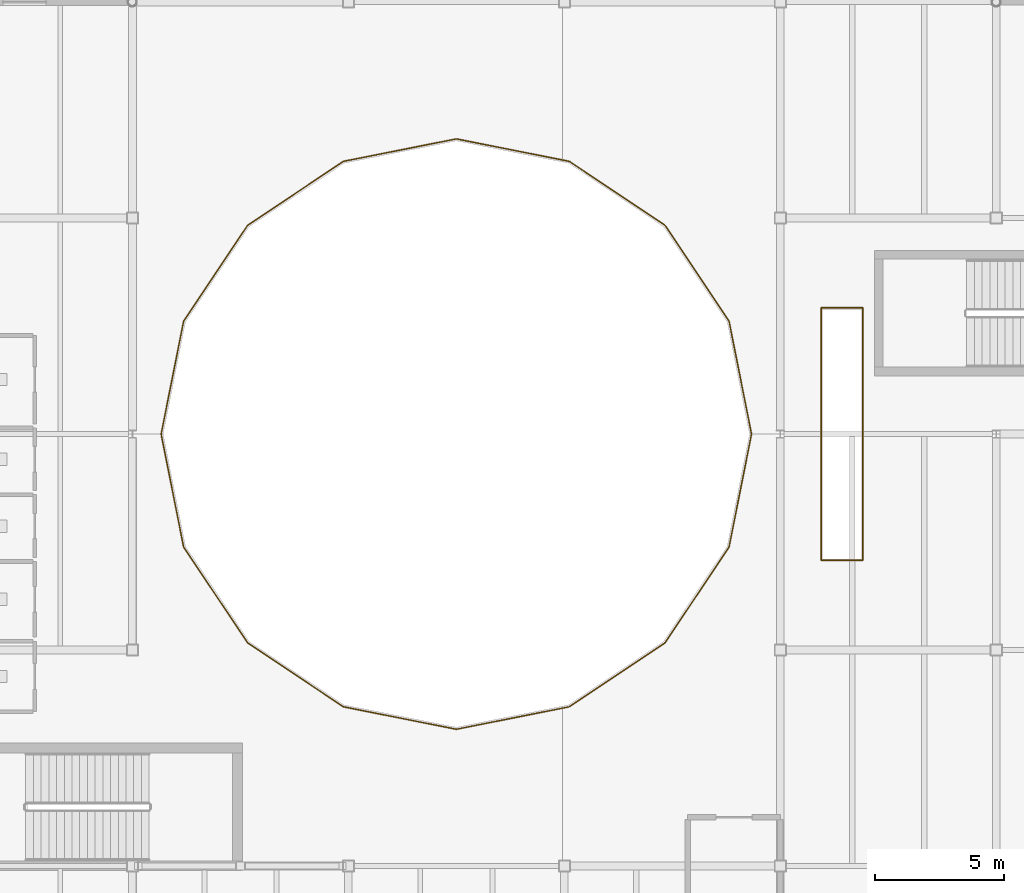
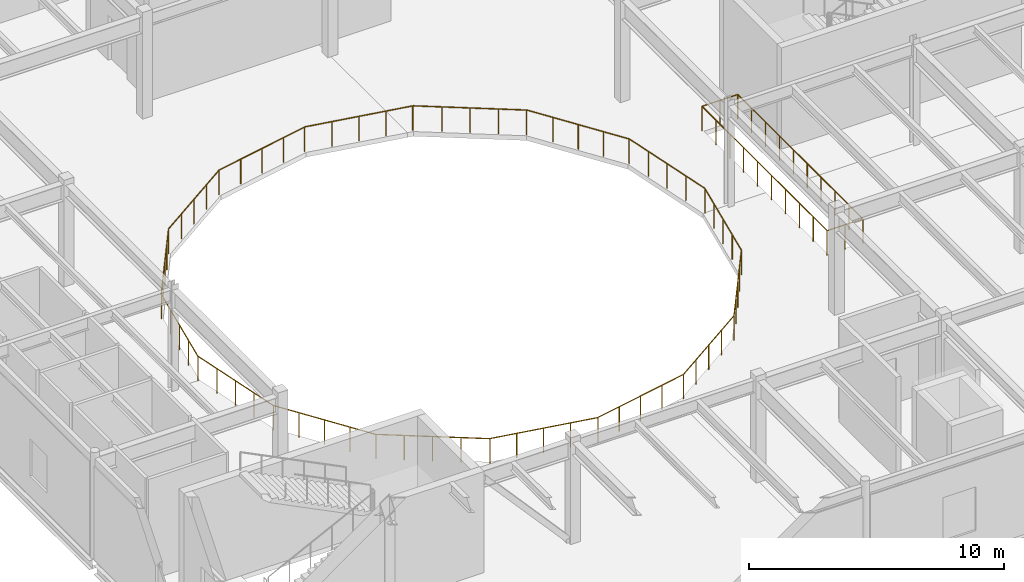
# One storey, part 51 of 57: 2 railings.
"""IFC4 building model written with IfcOpenShell, lengths in metres."""

from ifc_helpers import new_model, si_unit, direction, frame, origin, origin_2d, place, context, subcontext, project, spatial, circle, extrude, material, type_object, element, save


model = new_model("IFC4")

# Units and contexts
model_context = context("Model", 3, precision=1e-05, world=origin(), true_north=direction((0.0, 1.0)))
body_context = subcontext(model_context, "Body", "Model", "MODEL_VIEW")
ifc_project = project(units=[si_unit("LENGTHUNIT", "METRE"), si_unit("AREAUNIT", "SQUARE_METRE"), si_unit("VOLUMEUNIT", "CUBIC_METRE"), si_unit("PLANEANGLEUNIT", "RADIAN"), si_unit("MASSUNIT", "GRAM", prefix="KILO"), si_unit("THERMODYNAMICTEMPERATUREUNIT", "KELVIN")], contexts=[model_context])

# Site, building, storey
site_placement = place(None, origin())
site = spatial("IfcSite", under=ifc_project, at=site_placement, CompositionType="ELEMENT")
building_placement = place(site_placement, origin())
building = spatial("IfcBuilding", under=site, at=building_placement, Name="Lustrewick Department Store", CompositionType="ELEMENT")
storey_placement = place(building_placement, frame((0.0, 0.0, 26.699951171875)))
storey = spatial("IfcBuildingStorey", under=building, at=storey_placement, Name="L06", CompositionType="ELEMENT", Elevation=26.699951171875)

# Railings
ifc_material = material(Name="Laminated safety glass and bronze atrium balustrade", Category="glass")
railing_type = type_object("IfcRailingType", Name="RL-BAL", PredefinedType="BALUSTRADE", material=ifc_material)
railing_1_placement = place(storey_placement, frame((40.87841796875, 67.184326171875, 0.0)))
element("IfcRailing", 1, at=railing_1_placement, inside=storey, type_object=railing_type, Name="L06 Atrium Void Balustrade 0054", PredefinedType="BALUSTRADE", context=body_context, shape_type="SweptSolid", body=[
    extrude(circle(Radius=0.02392578125, at=origin_2d()), frame((0.0, 0.0, 1.17578125), z_axis=(-0.195071045556, -0.980789114533, 0.0), x_axis=(0.980789114533, -0.195071045556, 0.0)), (0.0, 0.0, 1.0), 4.447998046875),
    extrude(circle(Radius=0.02392578125, at=origin_2d()), frame((-0.86767578125, -4.362548828125, 1.17578125), z_axis=(-0.249878019022, -0.968277323709, 0.0), x_axis=(0.968277323709, -0.249878019022, 0.0)), (0.0, 0.0, 1.0), 0.0078125),
    extrude(circle(Radius=0.02392578125, at=origin_2d()), frame((-0.86962890625, -4.3701171875, 1.17578125), z_axis=(-0.344254649158, -0.938876315887, 0.0), x_axis=(0.938876315887, -0.344254649158, 0.0)), (0.0, 0.0, 1.0), 0.0078125),
    extrude(circle(Radius=0.02392578125, at=origin_2d()), frame((-0.872314453125, -4.37744140625, 1.17578125), z_axis=(-0.434749065831, -0.900551636365, 0.0), x_axis=(0.900551636365, -0.434749065831, 0.0)), (0.0, 0.0, 1.0), 0.0078125),
    extrude(circle(Radius=0.02392578125, at=origin_2d()), frame((-0.875732421875, -4.384521484375, 1.17578125), z_axis=(-0.496138938357, -0.868243142124, 0.0), x_axis=(0.868243142124, -0.496138938357, 0.0)), (0.0, 0.0, 1.0), 0.0078125),
    extrude(circle(Radius=0.02392578125, at=origin_2d()), frame((-0.879638671875, -4.391357421875, 1.17578125), z_axis=(-0.555561194947, -0.831475651279, 0.0), x_axis=(0.831475651279, -0.555561194947, 0.0)), (0.0, 0.0, 1.0), 4.447998046875),
    extrude(circle(Radius=0.02392578125, at=origin_2d()), frame((-3.350830078125, -8.08984375, 1.17578125), z_axis=(-0.60971076085, -0.792623989105, 0.0), x_axis=(0.792623989105, -0.60971076085, 0.0)), (0.0, 0.0, 1.0), 0.008056640625),
    extrude(circle(Radius=0.02392578125, at=origin_2d()), frame((-3.355712890625, -8.09619140625, 1.17578125), z_axis=(-0.674269364021, -0.738485493928, 0.0), x_axis=(0.738485493928, -0.674269364021, 0.0)), (0.0, 0.0, 1.0), 0.007568359375),
    extrude(circle(Radius=0.02392578125, at=origin_2d()), frame((-3.36083984375, -8.101806640625, 1.17578125), z_axis=(-0.737154140201, -0.675724628517, 0.0), x_axis=(0.675724628517, -0.737154140201, 0.0)), (0.0, 0.0, 1.0), 0.008056640625),
    extrude(circle(Radius=0.02392578125, at=origin_2d()), frame((-3.36669921875, -8.107177734375, 1.17578125), z_axis=(-0.807391122258, -0.590016589342, 0.0), x_axis=(0.590016589342, -0.807391122258, 0.0)), (0.0, 0.0, 1.0), 0.0078125),
    extrude(circle(Radius=0.02392578125, at=origin_2d()), frame((-3.373046875, -8.11181640625, 1.17578125), z_axis=(-0.831475651279, -0.555561194947, 0.0), x_axis=(0.555561194947, -0.831475651279, 0.0)), (0.0, 0.0, 1.0), 4.447998046875),
    extrude(circle(Radius=0.02392578125, at=origin_2d()), frame((-7.071533203125, -10.5830078125, 1.17578125), z_axis=(-0.84623284009, -0.532813269686, 0.0), x_axis=(0.532813269686, -0.84623284009, 0.0)), (0.0, 0.0, 1.0), 0.0078125),
    extrude(circle(Radius=0.02392578125, at=origin_2d()), frame((-7.078125, -10.587158203125, 1.17578125), z_axis=(-0.912509324515, -0.409055904093, 0.0), x_axis=(0.409055904093, -0.912509324515, 0.0)), (0.0, 0.0, 1.0), 0.0078125),
    extrude(circle(Radius=0.02392578125, at=origin_2d()), frame((-7.085205078125, -10.59033203125, 1.17578125), z_axis=(-0.938876315887, -0.344254649158, 0.0), x_axis=(0.344254649158, -0.938876315887, 0.0)), (0.0, 0.0, 1.0), 0.0078125),
    extrude(circle(Radius=0.02392578125, at=origin_2d()), frame((-7.092529296875, -10.593017578125, 1.17578125), z_axis=(-0.968277323709, -0.249878019022, 0.0), x_axis=(0.249878019022, -0.968277323709, 0.0)), (0.0, 0.0, 1.0), 0.0078125),
    extrude(circle(Radius=0.02392578125, at=origin_2d()), frame((-7.10009765625, -10.594970703125, 1.17578125), z_axis=(-0.980780701472, -0.195113340444, 0.0), x_axis=(0.195113340444, -0.980780701472, 0.0)), (0.0, 0.0, 1.0), 4.4482421875),
    extrude(circle(Radius=0.02392578125, at=origin_2d()), frame((-11.462890625, -11.462890625, 1.17578125), z_axis=(-0.992277876714, -0.124034734589, 0.0), x_axis=(0.124034734589, -0.992277876714, 0.0)), (0.0, 0.0, 1.0), 0.0078125),
    extrude(circle(Radius=0.02392578125, at=origin_2d()), frame((-11.470703125, -11.4638671875, 1.17578125), z_axis=(-0.998052578483, -0.062378286155, 0.0), x_axis=(0.062378286155, -0.998052578483, 0.0)), (0.0, 0.0, 1.0), 0.0078125),
    extrude(circle(Radius=0.02392578125, at=origin_2d()), frame((-11.478515625, -11.46435546875, 1.17578125), z_axis=(-0.998052578483, 0.062378286155, 0.0), x_axis=(-0.062378286155, -0.998052578483, 0.0)), (0.0, 0.0, 1.0), 0.0078125),
    extrude(circle(Radius=0.02392578125, at=origin_2d()), frame((-11.486328125, -11.4638671875, 1.17578125), z_axis=(-0.991777866634, 0.12797133763, 0.0), x_axis=(-0.12797133763, -0.991777866634, 0.0)), (0.0, 0.0, 1.0), 0.007568359375),
    extrude(circle(Radius=0.02392578125, at=origin_2d()), frame((-11.493896484375, -11.462890625, 1.17578125), z_axis=(-0.980780701472, 0.195113340444, 0.0), x_axis=(-0.195113340444, -0.980780701472, 0.0)), (0.0, 0.0, 1.0), 4.4482421875),
    extrude(circle(Radius=0.02392578125, at=origin_2d()), frame((-15.856689453125, -10.594970703125, 1.17578125), z_axis=(-0.968277323709, 0.249878019022, 0.0), x_axis=(-0.249878019022, -0.968277323709, 0.0)), (0.0, 0.0, 1.0), 0.0078125),
    extrude(circle(Radius=0.02392578125, at=origin_2d()), frame((-15.8642578125, -10.593017578125, 1.17578125), z_axis=(-0.938876315887, 0.344254649158, 0.0), x_axis=(-0.344254649158, -0.938876315887, 0.0)), (0.0, 0.0, 1.0), 0.0078125),
    extrude(circle(Radius=0.02392578125, at=origin_2d()), frame((-15.87158203125, -10.59033203125, 1.17578125), z_axis=(-0.912509324515, 0.409055904093, 0.0), x_axis=(-0.409055904093, -0.912509324515, 0.0)), (0.0, 0.0, 1.0), 0.0078125),
    extrude(circle(Radius=0.02392578125, at=origin_2d()), frame((-15.878662109375, -10.587158203125, 1.17578125), z_axis=(-0.854787515222, 0.518978134242, 0.0), x_axis=(-0.518978134242, -0.854787515222, 0.0)), (0.0, 0.0, 1.0), 0.008056640625),
    extrude(circle(Radius=0.02392578125, at=origin_2d()), frame((-15.885498046875, -10.5830078125, 1.17578125), z_axis=(-0.831458709496, 0.555586549876, 0.0), x_axis=(-0.555586549876, -0.831458709496, 0.0)), (0.0, 0.0, 1.0), 4.447998046875),
    extrude(circle(Radius=0.02392578125, at=origin_2d()), frame((-19.583740234375, -8.11181640625, 1.17578125), z_axis=(-0.817806419301, 0.575493406175, 0.0), x_axis=(-0.575493406175, -0.817806419301, 0.0)), (0.0, 0.0, 1.0), 0.008056640625),
    extrude(circle(Radius=0.02392578125, at=origin_2d()), frame((-19.59033203125, -8.107177734375, 1.17578125), z_axis=(-0.722641857148, 0.691222645967, 0.0), x_axis=(-0.691222645967, -0.722641857148, 0.0)), (0.0, 0.0, 1.0), 0.0078125),
    extrude(circle(Radius=0.02392578125, at=origin_2d()), frame((-19.595947265625, -8.101806640625, 1.17578125), z_axis=(-0.691222645967, 0.722641857148, 0.0), x_axis=(-0.722641857148, -0.691222645967, 0.0)), (0.0, 0.0, 1.0), 0.0078125),
    extrude(circle(Radius=0.02392578125, at=origin_2d()), frame((-19.601318359375, -8.09619140625, 1.17578125), z_axis=(-0.590016589342, 0.807391122258, 0.0), x_axis=(-0.807391122258, -0.590016589342, 0.0)), (0.0, 0.0, 1.0), 0.0078125),
    extrude(circle(Radius=0.02392578125, at=origin_2d()), frame((-19.60595703125, -8.08984375, 1.17578125), z_axis=(-0.555561194947, 0.831475651279, 0.0), x_axis=(-0.831475651279, -0.555561194947, 0.0)), (0.0, 0.0, 1.0), 4.447998046875),
    extrude(circle(Radius=0.02392578125, at=origin_2d()), frame((-22.0771484375, -4.391357421875, 1.17578125), z_axis=(-0.518978134242, 0.854787515222, 0.0), x_axis=(-0.854787515222, -0.518978134242, 0.0)), (0.0, 0.0, 1.0), 0.008056640625),
    extrude(circle(Radius=0.02392578125, at=origin_2d()), frame((-22.081298828125, -4.384521484375, 1.17578125), z_axis=(-0.409055904093, 0.912509324515, 0.0), x_axis=(-0.912509324515, -0.409055904093, 0.0)), (0.0, 0.0, 1.0), 0.0078125),
    extrude(circle(Radius=0.02392578125, at=origin_2d()), frame((-22.08447265625, -4.37744140625, 1.17578125), z_axis=(-0.344254649158, 0.938876315887, 0.0), x_axis=(-0.938876315887, -0.344254649158, 0.0)), (0.0, 0.0, 1.0), 0.0078125),
    extrude(circle(Radius=0.02392578125, at=origin_2d()), frame((-22.087158203125, -4.3701171875, 1.17578125), z_axis=(-0.249878019022, 0.968277323709, 0.0), x_axis=(-0.968277323709, -0.249878019022, 0.0)), (0.0, 0.0, 1.0), 0.0078125),
    extrude(circle(Radius=0.02392578125, at=origin_2d()), frame((-22.089111328125, -4.362548828125, 1.17578125), z_axis=(-0.195123843826, 0.980778611905, 0.0), x_axis=(-0.980778611905, -0.195123843826, 0.0)), (0.0, 0.0, 1.0), 4.447998046875),
    extrude(circle(Radius=0.02392578125, at=origin_2d()), frame((-22.95703125, 0.0, 1.17578125), z_axis=(-0.124034734589, 0.992277876714, 0.0), x_axis=(-0.992277876714, -0.124034734589, 0.0)), (0.0, 0.0, 1.0), 0.0078125),
    extrude(circle(Radius=0.02392578125, at=origin_2d()), frame((-22.9580078125, 0.0078125, 1.17578125), z_axis=(-0.062378286155, 0.998052578483, 0.0), x_axis=(-0.998052578483, -0.062378286155, 0.0)), (0.0, 0.0, 1.0), 0.0078125),
    extrude(circle(Radius=0.02392578125, at=origin_2d()), frame((-22.95849609375, 0.015625, 1.17578125), z_axis=(0.062378286155, 0.998052578483, 0.0), x_axis=(-0.998052578483, 0.062378286155, 0.0)), (0.0, 0.0, 1.0), 0.0078125),
    extrude(circle(Radius=0.02392578125, at=origin_2d()), frame((-22.9580078125, 0.0234375, 1.17578125), z_axis=(0.124034734589, 0.992277876714, 0.0), x_axis=(-0.992277876714, 0.124034734589, 0.0)), (0.0, 0.0, 1.0), 0.0078125),
    extrude(circle(Radius=0.02392578125, at=origin_2d()), frame((-22.95703125, 0.03125, 1.17578125), z_axis=(0.195123843826, 0.980778611905, 0.0), x_axis=(-0.980778611905, 0.195123843826, 0.0)), (0.0, 0.0, 1.0), 4.447998046875),
    extrude(circle(Radius=0.02392578125, at=origin_2d()), frame((-22.089111328125, 4.393798828125, 1.17578125), z_axis=(0.249878019022, 0.968277323709, 0.0), x_axis=(-0.968277323709, 0.249878019022, 0.0)), (0.0, 0.0, 1.0), 0.0078125),
    extrude(circle(Radius=0.02392578125, at=origin_2d()), frame((-22.087158203125, 4.4013671875, 1.17578125), z_axis=(0.334409845171, 0.942427745481, 0.0), x_axis=(-0.942427745481, 0.334409845171, 0.0)), (0.0, 0.0, 1.0), 0.008056640625),
    extrude(circle(Radius=0.02392578125, at=origin_2d()), frame((-22.08447265625, 4.408935546875, 1.17578125), z_axis=(0.409055904093, 0.912509324515, 0.0), x_axis=(-0.912509324515, 0.409055904093, 0.0)), (0.0, 0.0, 1.0), 0.0078125),
    extrude(circle(Radius=0.02392578125, at=origin_2d()), frame((-22.081298828125, 4.416015625, 1.17578125), z_axis=(0.532813269686, 0.84623284009, 0.0), x_axis=(-0.84623284009, 0.532813269686, 0.0)), (0.0, 0.0, 1.0), 0.0078125),
    extrude(circle(Radius=0.02392578125, at=origin_2d()), frame((-22.0771484375, 4.422607421875, 1.17578125), z_axis=(0.555561194947, 0.831475651279, 0.0), x_axis=(-0.831475651279, 0.555561194947, 0.0)), (0.0, 0.0, 1.0), 4.447998046875),
    extrude(circle(Radius=0.02392578125, at=origin_2d()), frame((-19.60595703125, 8.12109375, 1.17578125), z_axis=(0.590016589342, 0.807391122258, 0.0), x_axis=(-0.807391122258, 0.590016589342, 0.0)), (0.0, 0.0, 1.0), 0.0078125),
    extrude(circle(Radius=0.02392578125, at=origin_2d()), frame((-19.601318359375, 8.12744140625, 1.17578125), z_axis=(0.675724628517, 0.737154140201, 0.0), x_axis=(-0.737154140201, 0.675724628517, 0.0)), (0.0, 0.0, 1.0), 0.008056640625),
    extrude(circle(Radius=0.02392578125, at=origin_2d()), frame((-19.595947265625, 8.13330078125, 1.17578125), z_axis=(0.738485493928, 0.674269364021, 0.0), x_axis=(-0.674269364021, 0.738485493928, 0.0)), (0.0, 0.0, 1.0), 0.007568359375),
    extrude(circle(Radius=0.02392578125, at=origin_2d()), frame((-19.59033203125, 8.138427734375, 1.17578125), z_axis=(0.817806419301, 0.575493406175, 0.0), x_axis=(-0.575493406175, 0.817806419301, 0.0)), (0.0, 0.0, 1.0), 0.008056640625),
    extrude(circle(Radius=0.02392578125, at=origin_2d()), frame((-19.583740234375, 8.14306640625, 1.17578125), z_axis=(0.831458709496, 0.555586549876, 0.0), x_axis=(-0.555586549876, 0.831458709496, 0.0)), (0.0, 0.0, 1.0), 4.447998046875),
    extrude(circle(Radius=0.02392578125, at=origin_2d()), frame((-15.885498046875, 10.6142578125, 1.17578125), z_axis=(0.854787515222, 0.518978134242, 0.0), x_axis=(-0.518978134242, 0.854787515222, 0.0)), (0.0, 0.0, 1.0), 0.008056640625),
    extrude(circle(Radius=0.02392578125, at=origin_2d()), frame((-15.878662109375, 10.618408203125, 1.17578125), z_axis=(0.900551636365, 0.434749065831, 0.0), x_axis=(-0.434749065831, 0.900551636365, 0.0)), (0.0, 0.0, 1.0), 0.0078125),
    extrude(circle(Radius=0.02392578125, at=origin_2d()), frame((-15.87158203125, 10.621826171875, 1.17578125), z_axis=(0.938876315887, 0.344254649158, 0.0), x_axis=(-0.344254649158, 0.938876315887, 0.0)), (0.0, 0.0, 1.0), 0.0078125),
    extrude(circle(Radius=0.02392578125, at=origin_2d()), frame((-15.8642578125, 10.62451171875, 1.17578125), z_axis=(0.968277323709, 0.249878019022, 0.0), x_axis=(-0.249878019022, 0.968277323709, 0.0)), (0.0, 0.0, 1.0), 0.0078125),
    extrude(circle(Radius=0.02392578125, at=origin_2d()), frame((-15.856689453125, 10.62646484375, 1.17578125), z_axis=(0.980791202991, 0.195060544792, 0.0), x_axis=(-0.195060544792, 0.980791202991, 0.0)), (0.0, 0.0, 1.0), 4.4482421875),
    extrude(circle(Radius=0.02392578125, at=origin_2d()), frame((-11.493896484375, 11.494140625, 1.17578125), z_axis=(0.987241120713, 0.159232438825, 0.0), x_axis=(-0.159232438825, 0.987241120713, 0.0)), (0.0, 0.0, 1.0), 0.007568359375),
    extrude(circle(Radius=0.02392578125, at=origin_2d()), frame((-11.486328125, 11.495361328125, 1.17578125), z_axis=(0.999512076087, 0.031234752378, 0.0), x_axis=(-0.031234752378, 0.999512076087, 0.0)), (0.0, 0.0, 1.0), 0.0078125),
    extrude(circle(Radius=0.02392578125, at=origin_2d()), frame((-11.478515625, 11.49560546875, 1.17578125), z_axis=(0.999512076087, -0.031234752378, 0.0), x_axis=(0.031234752378, 0.999512076087, 0.0)), (0.0, 0.0, 1.0), 0.0078125),
    extrude(circle(Radius=0.02392578125, at=origin_2d()), frame((-11.470703125, 11.495361328125, 1.17578125), z_axis=(0.988012033751, -0.154376880274, 0.0), x_axis=(0.154376880274, 0.988012033751, 0.0)), (0.0, 0.0, 1.0), 0.0078125),
    extrude(circle(Radius=0.02392578125, at=origin_2d()), frame((-11.462890625, 11.494140625, 1.17578125), z_axis=(0.980791202991, -0.195060544792, 0.0), x_axis=(0.195060544792, 0.980791202991, 0.0)), (0.0, 0.0, 1.0), 4.4482421875),
    extrude(circle(Radius=0.02392578125, at=origin_2d()), frame((-7.10009765625, 10.62646484375, 1.17578125), z_axis=(0.968277323709, -0.249878019022, 0.0), x_axis=(0.249878019022, 0.968277323709, 0.0)), (0.0, 0.0, 1.0), 0.0078125),
    extrude(circle(Radius=0.02392578125, at=origin_2d()), frame((-7.092529296875, 10.62451171875, 1.17578125), z_axis=(0.938876315887, -0.344254649158, 0.0), x_axis=(0.344254649158, 0.938876315887, 0.0)), (0.0, 0.0, 1.0), 0.0078125),
    extrude(circle(Radius=0.02392578125, at=origin_2d()), frame((-7.085205078125, 10.621826171875, 1.17578125), z_axis=(0.900551636365, -0.434749065831, 0.0), x_axis=(0.434749065831, 0.900551636365, 0.0)), (0.0, 0.0, 1.0), 0.0078125),
    extrude(circle(Radius=0.02392578125, at=origin_2d()), frame((-7.078125, 10.618408203125, 1.17578125), z_axis=(0.84623284009, -0.532813269686, 0.0), x_axis=(0.532813269686, 0.84623284009, 0.0)), (0.0, 0.0, 1.0), 0.0078125),
    extrude(circle(Radius=0.02392578125, at=origin_2d()), frame((-7.071533203125, 10.6142578125, 1.17578125), z_axis=(0.831475651279, -0.555561194947, 0.0), x_axis=(0.555561194947, 0.831475651279, 0.0)), (0.0, 0.0, 1.0), 4.447998046875),
    extrude(circle(Radius=0.02392578125, at=origin_2d()), frame((-3.373046875, 8.14306640625, 1.17578125), z_axis=(0.807391122258, -0.590016589342, 0.0), x_axis=(0.590016589342, 0.807391122258, 0.0)), (0.0, 0.0, 1.0), 0.0078125),
    extrude(circle(Radius=0.02392578125, at=origin_2d()), frame((-3.36669921875, 8.138427734375, 1.17578125), z_axis=(0.752576694707, -0.658504607869, 0.0), x_axis=(0.658504607869, 0.752576694707, 0.0)), (0.0, 0.0, 1.0), 0.0078125),
    extrude(circle(Radius=0.02392578125, at=origin_2d()), frame((-3.36083984375, 8.13330078125, 1.17578125), z_axis=(0.658504607869, -0.752576694707, 0.0), x_axis=(0.752576694707, 0.658504607869, 0.0)), (0.0, 0.0, 1.0), 0.0078125),
    extrude(circle(Radius=0.02392578125, at=origin_2d()), frame((-3.355712890625, 8.12744140625, 1.17578125), z_axis=(0.60971076085, -0.792623989105, 0.0), x_axis=(0.792623989105, 0.60971076085, 0.0)), (0.0, 0.0, 1.0), 0.008056640625),
    extrude(circle(Radius=0.02392578125, at=origin_2d()), frame((-3.350830078125, 8.12109375, 1.17578125), z_axis=(0.555561194947, -0.831475651279, 0.0), x_axis=(0.831475651279, 0.555561194947, 0.0)), (0.0, 0.0, 1.0), 4.447998046875),
    extrude(circle(Radius=0.02392578125, at=origin_2d()), frame((-0.879638671875, 4.422607421875, 1.17578125), z_axis=(0.509802390302, -0.860291533634, 0.0), x_axis=(0.860291533634, 0.509802390302, 0.0)), (0.0, 0.0, 1.0), 0.007568359375),
    extrude(circle(Radius=0.02392578125, at=origin_2d()), frame((-0.875732421875, 4.416015625, 1.17578125), z_axis=(0.434749065831, -0.900551636365, 0.0), x_axis=(0.900551636365, 0.434749065831, 0.0)), (0.0, 0.0, 1.0), 0.0078125),
    extrude(circle(Radius=0.02392578125, at=origin_2d()), frame((-0.872314453125, 4.408935546875, 1.17578125), z_axis=(0.334409845171, -0.942427745481, 0.0), x_axis=(0.942427745481, 0.334409845171, 0.0)), (0.0, 0.0, 1.0), 0.008056640625),
    extrude(circle(Radius=0.02392578125, at=origin_2d()), frame((-0.86962890625, 4.4013671875, 1.17578125), z_axis=(0.249878019022, -0.968277323709, 0.0), x_axis=(0.968277323709, 0.249878019022, 0.0)), (0.0, 0.0, 1.0), 0.0078125),
    extrude(circle(Radius=0.02392578125, at=origin_2d()), frame((-0.86767578125, 4.393798828125, 1.17578125), z_axis=(0.195071045556, -0.980789114533, 0.0), x_axis=(0.980789114533, 0.195071045556, 0.0)), (0.0, 0.0, 1.0), 4.447998046875),
    extrude(circle(Radius=0.02392578125, at=origin_2d()), frame((0.0, 0.03125, 1.17578125), z_axis=(0.154376880274, -0.988012033751, 0.0), x_axis=(0.988012033751, 0.154376880274, 0.0)), (0.0, 0.0, 1.0), 0.0078125),
    extrude(circle(Radius=0.02392578125, at=origin_2d()), frame((0.001220703125, 0.0234375, 1.17578125), z_axis=(0.031234752378, -0.999512076087, 0.0), x_axis=(0.999512076087, 0.031234752378, 0.0)), (0.0, 0.0, 1.0), 0.0078125),
    extrude(circle(Radius=0.02392578125, at=origin_2d()), frame((0.00146484375, 0.015625, 1.17578125), z_axis=(-0.031234752378, -0.999512076087, 0.0), x_axis=(0.999512076087, -0.031234752378, 0.0)), (0.0, 0.0, 1.0), 0.0078125),
    extrude(circle(Radius=0.02392578125, at=origin_2d()), frame((0.001220703125, 0.0078125, 1.17578125), z_axis=(-0.154376880274, -0.988012033751, 0.0), x_axis=(0.988012033751, -0.154376880274, 0.0)), (0.0, 0.0, 1.0), 0.0078125),
    extrude(circle(Radius=0.02099609375, at=origin_2d()), origin(), (0.0, 0.0, 1.0), 1.15185546875),
    extrude(circle(Radius=0.02099609375, at=origin_2d()), frame((-0.216796875, -1.090576171875, 0.0)), (0.0, 0.0, 1.0), 1.15185546875),
    extrude(circle(Radius=0.02099609375, at=origin_2d()), frame((-0.433837890625, -2.18115234375, 0.0)), (0.0, 0.0, 1.0), 1.15185546875),
    extrude(circle(Radius=0.02099609375, at=origin_2d()), frame((-0.65087890625, -3.27197265625, 0.0)), (0.0, 0.0, 1.0), 1.15185546875),
    extrude(circle(Radius=0.02099609375, at=origin_2d()), frame((-0.86767578125, -4.362548828125, 0.0)), (0.0, 0.0, 1.0), 1.15185546875),
    extrude(circle(Radius=0.02099609375, at=origin_2d()), frame((-1.49755859375, -5.31591796875, 0.0)), (0.0, 0.0, 1.0), 1.15185546875),
    extrude(circle(Radius=0.02099609375, at=origin_2d()), frame((-2.115234375, -6.24072265625, 0.0)), (0.0, 0.0, 1.0), 1.15185546875),
    extrude(circle(Radius=0.02099609375, at=origin_2d()), frame((-2.73291015625, -7.165283203125, 0.0)), (0.0, 0.0, 1.0), 1.15185546875),
    extrude(circle(Radius=0.02099609375, at=origin_2d()), frame((-3.350830078125, -8.08984375, 0.0)), (0.0, 0.0, 1.0), 1.15185546875),
    extrude(circle(Radius=0.02099609375, at=origin_2d()), frame((-4.297607421875, -8.7294921875, 0.0)), (0.0, 0.0, 1.0), 1.15185546875),
    extrude(circle(Radius=0.02099609375, at=origin_2d()), frame((-5.22216796875, -9.347412109375, 0.0)), (0.0, 0.0, 1.0), 1.15185546875),
    extrude(circle(Radius=0.02099609375, at=origin_2d()), frame((-6.14697265625, -9.96533203125, 0.0)), (0.0, 0.0, 1.0), 1.15185546875),
    extrude(circle(Radius=0.02099609375, at=origin_2d()), frame((-7.071533203125, -10.5830078125, 0.0)), (0.0, 0.0, 1.0), 1.15185546875),
    extrude(circle(Radius=0.02099609375, at=origin_2d()), frame((-8.19091796875, -10.81201171875, 0.0)), (0.0, 0.0, 1.0), 1.15185546875),
    extrude(circle(Radius=0.02099609375, at=origin_2d()), frame((-9.281494140625, -11.02880859375, 0.0)), (0.0, 0.0, 1.0), 1.15185546875),
    extrude(circle(Radius=0.02099609375, at=origin_2d()), frame((-10.3720703125, -11.245849609375, 0.0)), (0.0, 0.0, 1.0), 1.15185546875),
    extrude(circle(Radius=0.02099609375, at=origin_2d()), frame((-11.462890625, -11.462890625, 0.0)), (0.0, 0.0, 1.0), 1.15185546875),
    extrude(circle(Radius=0.02099609375, at=origin_2d()), frame((-12.58447265625, -11.245849609375, 0.0)), (0.0, 0.0, 1.0), 1.15185546875),
    extrude(circle(Radius=0.02099609375, at=origin_2d()), frame((-13.67529296875, -11.02880859375, 0.0)), (0.0, 0.0, 1.0), 1.15185546875),
    extrude(circle(Radius=0.02099609375, at=origin_2d()), frame((-14.76611328125, -10.81201171875, 0.0)), (0.0, 0.0, 1.0), 1.15185546875),
    extrude(circle(Radius=0.02099609375, at=origin_2d()), frame((-15.856689453125, -10.594970703125, 0.0)), (0.0, 0.0, 1.0), 1.15185546875),
    extrude(circle(Radius=0.02099609375, at=origin_2d()), frame((-16.81005859375, -9.96533203125, 0.0)), (0.0, 0.0, 1.0), 1.15185546875),
    extrude(circle(Radius=0.02099609375, at=origin_2d()), frame((-17.734619140625, -9.347412109375, 0.0)), (0.0, 0.0, 1.0), 1.15185546875),
    extrude(circle(Radius=0.02099609375, at=origin_2d()), frame((-18.6591796875, -8.7294921875, 0.0)), (0.0, 0.0, 1.0), 1.15185546875),
    extrude(circle(Radius=0.02099609375, at=origin_2d()), frame((-19.583740234375, -8.11181640625, 0.0)), (0.0, 0.0, 1.0), 1.15185546875),
    extrude(circle(Radius=0.02099609375, at=origin_2d()), frame((-20.2236328125, -7.165283203125, 0.0)), (0.0, 0.0, 1.0), 1.15185546875),
    extrude(circle(Radius=0.02099609375, at=origin_2d()), frame((-20.841552734375, -6.24072265625, 0.0)), (0.0, 0.0, 1.0), 1.15185546875),
    extrude(circle(Radius=0.02099609375, at=origin_2d()), frame((-21.45947265625, -5.31591796875, 0.0)), (0.0, 0.0, 1.0), 1.15185546875),
    extrude(circle(Radius=0.02099609375, at=origin_2d()), frame((-22.0771484375, -4.391357421875, 0.0)), (0.0, 0.0, 1.0), 1.15185546875),
    extrude(circle(Radius=0.02099609375, at=origin_2d()), frame((-22.30615234375, -3.27197265625, 0.0)), (0.0, 0.0, 1.0), 1.15185546875),
    extrude(circle(Radius=0.02099609375, at=origin_2d()), frame((-22.52294921875, -2.18115234375, 0.0)), (0.0, 0.0, 1.0), 1.15185546875),
    extrude(circle(Radius=0.02099609375, at=origin_2d()), frame((-22.739990234375, -1.090576171875, 0.0)), (0.0, 0.0, 1.0), 1.15185546875),
    extrude(circle(Radius=0.02099609375, at=origin_2d()), frame((-22.95703125, 0.0, 0.0)), (0.0, 0.0, 1.0), 1.15185546875),
    extrude(circle(Radius=0.02099609375, at=origin_2d()), frame((-22.739990234375, 1.121826171875, 0.0)), (0.0, 0.0, 1.0), 1.15185546875),
    extrude(circle(Radius=0.02099609375, at=origin_2d()), frame((-22.52294921875, 2.21240234375, 0.0)), (0.0, 0.0, 1.0), 1.15185546875),
    extrude(circle(Radius=0.02099609375, at=origin_2d()), frame((-22.30615234375, 3.30322265625, 0.0)), (0.0, 0.0, 1.0), 1.15185546875),
    extrude(circle(Radius=0.02099609375, at=origin_2d()), frame((-22.089111328125, 4.393798828125, 0.0)), (0.0, 0.0, 1.0), 1.15185546875),
    extrude(circle(Radius=0.02099609375, at=origin_2d()), frame((-21.45947265625, 5.34716796875, 0.0)), (0.0, 0.0, 1.0), 1.15185546875),
    extrude(circle(Radius=0.02099609375, at=origin_2d()), frame((-20.841552734375, 6.27197265625, 0.0)), (0.0, 0.0, 1.0), 1.15185546875),
    extrude(circle(Radius=0.02099609375, at=origin_2d()), frame((-20.2236328125, 7.196533203125, 0.0)), (0.0, 0.0, 1.0), 1.15185546875),
    extrude(circle(Radius=0.02099609375, at=origin_2d()), frame((-19.60595703125, 8.12109375, 0.0)), (0.0, 0.0, 1.0), 1.15185546875),
    extrude(circle(Radius=0.02099609375, at=origin_2d()), frame((-18.6591796875, 8.7607421875, 0.0)), (0.0, 0.0, 1.0), 1.15185546875),
    extrude(circle(Radius=0.02099609375, at=origin_2d()), frame((-17.734619140625, 9.378662109375, 0.0)), (0.0, 0.0, 1.0), 1.15185546875),
    extrude(circle(Radius=0.02099609375, at=origin_2d()), frame((-16.81005859375, 9.99658203125, 0.0)), (0.0, 0.0, 1.0), 1.15185546875),
    extrude(circle(Radius=0.02099609375, at=origin_2d()), frame((-15.885498046875, 10.6142578125, 0.0)), (0.0, 0.0, 1.0), 1.15185546875),
    extrude(circle(Radius=0.02099609375, at=origin_2d()), frame((-14.76611328125, 10.84326171875, 0.0)), (0.0, 0.0, 1.0), 1.15185546875),
    extrude(circle(Radius=0.02099609375, at=origin_2d()), frame((-13.67529296875, 11.060302734375, 0.0)), (0.0, 0.0, 1.0), 1.15185546875),
    extrude(circle(Radius=0.02099609375, at=origin_2d()), frame((-12.58447265625, 11.27734375, 0.0)), (0.0, 0.0, 1.0), 1.15185546875),
    extrude(circle(Radius=0.02099609375, at=origin_2d()), frame((-11.493896484375, 11.494140625, 0.0)), (0.0, 0.0, 1.0), 1.15185546875),
    extrude(circle(Radius=0.02099609375, at=origin_2d()), frame((-10.3720703125, 11.27734375, 0.0)), (0.0, 0.0, 1.0), 1.15185546875),
    extrude(circle(Radius=0.02099609375, at=origin_2d()), frame((-9.281494140625, 11.060302734375, 0.0)), (0.0, 0.0, 1.0), 1.15185546875),
    extrude(circle(Radius=0.02099609375, at=origin_2d()), frame((-8.19091796875, 10.84326171875, 0.0)), (0.0, 0.0, 1.0), 1.15185546875),
    extrude(circle(Radius=0.02099609375, at=origin_2d()), frame((-7.10009765625, 10.62646484375, 0.0)), (0.0, 0.0, 1.0), 1.15185546875),
    extrude(circle(Radius=0.02099609375, at=origin_2d()), frame((-6.14697265625, 9.99658203125, 0.0)), (0.0, 0.0, 1.0), 1.15185546875),
    extrude(circle(Radius=0.02099609375, at=origin_2d()), frame((-5.22216796875, 9.378662109375, 0.0)), (0.0, 0.0, 1.0), 1.15185546875),
    extrude(circle(Radius=0.02099609375, at=origin_2d()), frame((-4.297607421875, 8.7607421875, 0.0)), (0.0, 0.0, 1.0), 1.15185546875),
    extrude(circle(Radius=0.02099609375, at=origin_2d()), frame((-3.373046875, 8.14306640625, 0.0)), (0.0, 0.0, 1.0), 1.15185546875),
    extrude(circle(Radius=0.02099609375, at=origin_2d()), frame((-2.73291015625, 7.196533203125, 0.0)), (0.0, 0.0, 1.0), 1.15185546875),
    extrude(circle(Radius=0.02099609375, at=origin_2d()), frame((-2.115234375, 6.27197265625, 0.0)), (0.0, 0.0, 1.0), 1.15185546875),
    extrude(circle(Radius=0.02099609375, at=origin_2d()), frame((-1.49755859375, 5.34716796875, 0.0)), (0.0, 0.0, 1.0), 1.15185546875),
    extrude(circle(Radius=0.02099609375, at=origin_2d()), frame((-0.879638671875, 4.422607421875, 0.0)), (0.0, 0.0, 1.0), 1.15185546875),
    extrude(circle(Radius=0.02099609375, at=origin_2d()), frame((-0.65087890625, 3.30322265625, 0.0)), (0.0, 0.0, 1.0), 1.15185546875),
    extrude(circle(Radius=0.02099609375, at=origin_2d()), frame((-0.433837890625, 2.21240234375, 0.0)), (0.0, 0.0, 1.0), 1.15185546875),
    extrude(circle(Radius=0.02099609375, at=origin_2d()), frame((-0.216796875, 1.121826171875, 0.0)), (0.0, 0.0, 1.0), 1.15185546875),
])
railing_2_placement = place(storey_placement, frame((43.590087890625, 62.2900390625, 0.0)))
element("IfcRailing", 2, at=railing_2_placement, inside=storey, type_object=railing_type, Name="L06 V1 Escalator Well Balustrade 0055", PredefinedType="BALUSTRADE", context=body_context, shape_type="SweptSolid", body=[
    extrude(circle(Radius=0.02392578125, at=origin_2d()), frame((0.0, 0.0, 1.17578125), z_axis=(0.0, 1.0, 0.0), x_axis=(-1.0, 0.0, 0.0)), (0.0, 0.0, 1.0), 9.820068359375),
    extrude(circle(Radius=0.02392578125, at=origin_2d()), frame((0.0, 9.820068359375, 1.17578125), z_axis=(1.0, 0.0, 0.0), x_axis=(0.0, 1.0, 0.0)), (0.0, 0.0, 1.0), 1.619873046875),
    extrude(circle(Radius=0.02392578125, at=origin_2d()), frame((1.619873046875, 9.820068359375, 1.17578125), z_axis=(0.0, -1.0, 0.0), x_axis=(1.0, 0.0, 0.0)), (0.0, 0.0, 1.0), 9.820068359375),
    extrude(circle(Radius=0.02392578125, at=origin_2d()), frame((1.619873046875, 0.0, 1.17578125), z_axis=(-1.0, 0.0, 0.0), x_axis=(0.0, -1.0, 0.0)), (0.0, 0.0, 1.0), 1.619873046875),
    extrude(circle(Radius=0.02099609375, at=origin_2d()), origin(), (0.0, 0.0, 1.0), 1.15185546875),
    extrude(circle(Radius=0.02099609375, at=origin_2d()), frame((0.0, 1.091064453125, 0.0)), (0.0, 0.0, 1.0), 1.15185546875),
    extrude(circle(Radius=0.02099609375, at=origin_2d()), frame((0.0, 2.18212890625, 0.0)), (0.0, 0.0, 1.0), 1.15185546875),
    extrude(circle(Radius=0.02099609375, at=origin_2d()), frame((0.0, 3.2734375, 0.0)), (0.0, 0.0, 1.0), 1.15185546875),
    extrude(circle(Radius=0.02099609375, at=origin_2d()), frame((0.0, 4.364501953125, 0.0)), (0.0, 0.0, 1.0), 1.15185546875),
    extrude(circle(Radius=0.02099609375, at=origin_2d()), frame((0.0, 5.45556640625, 0.0)), (0.0, 0.0, 1.0), 1.15185546875),
    extrude(circle(Radius=0.02099609375, at=origin_2d()), frame((0.0, 6.546630859375, 0.0)), (0.0, 0.0, 1.0), 1.15185546875),
    extrude(circle(Radius=0.02099609375, at=origin_2d()), frame((0.0, 7.637939453125, 0.0)), (0.0, 0.0, 1.0), 1.15185546875),
    extrude(circle(Radius=0.02099609375, at=origin_2d()), frame((0.0, 8.72900390625, 0.0)), (0.0, 0.0, 1.0), 1.15185546875),
    extrude(circle(Radius=0.02099609375, at=origin_2d()), frame((0.0, 9.820068359375, 0.0)), (0.0, 0.0, 1.0), 1.15185546875),
    extrude(circle(Radius=0.02099609375, at=origin_2d()), frame((0.81005859375, 9.820068359375, 0.0)), (0.0, 0.0, 1.0), 1.15185546875),
    extrude(circle(Radius=0.02099609375, at=origin_2d()), frame((1.619873046875, 9.820068359375, 0.0)), (0.0, 0.0, 1.0), 1.15185546875),
    extrude(circle(Radius=0.02099609375, at=origin_2d()), frame((1.619873046875, 8.72900390625, 0.0)), (0.0, 0.0, 1.0), 1.15185546875),
    extrude(circle(Radius=0.02099609375, at=origin_2d()), frame((1.619873046875, 7.637939453125, 0.0)), (0.0, 0.0, 1.0), 1.15185546875),
    extrude(circle(Radius=0.02099609375, at=origin_2d()), frame((1.619873046875, 6.546630859375, 0.0)), (0.0, 0.0, 1.0), 1.15185546875),
    extrude(circle(Radius=0.02099609375, at=origin_2d()), frame((1.619873046875, 5.45556640625, 0.0)), (0.0, 0.0, 1.0), 1.15185546875),
    extrude(circle(Radius=0.02099609375, at=origin_2d()), frame((1.619873046875, 4.364501953125, 0.0)), (0.0, 0.0, 1.0), 1.15185546875),
    extrude(circle(Radius=0.02099609375, at=origin_2d()), frame((1.619873046875, 3.2734375, 0.0)), (0.0, 0.0, 1.0), 1.15185546875),
    extrude(circle(Radius=0.02099609375, at=origin_2d()), frame((1.619873046875, 2.18212890625, 0.0)), (0.0, 0.0, 1.0), 1.15185546875),
    extrude(circle(Radius=0.02099609375, at=origin_2d()), frame((1.619873046875, 1.091064453125, 0.0)), (0.0, 0.0, 1.0), 1.15185546875),
    extrude(circle(Radius=0.02099609375, at=origin_2d()), frame((1.619873046875, 0.0, 0.0)), (0.0, 0.0, 1.0), 1.15185546875),
    extrude(circle(Radius=0.02099609375, at=origin_2d()), frame((0.81005859375, 0.0, 0.0)), (0.0, 0.0, 1.0), 1.15185546875),
])

save(model, "model.ifc")
